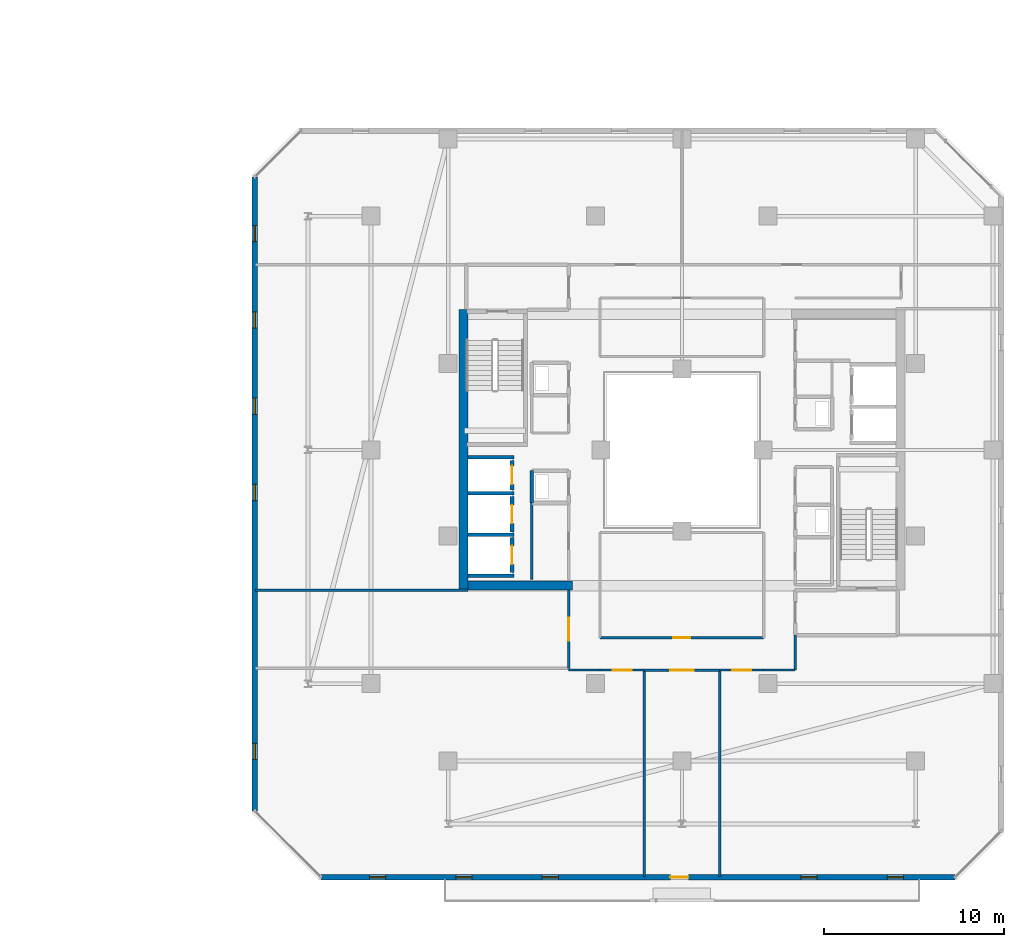
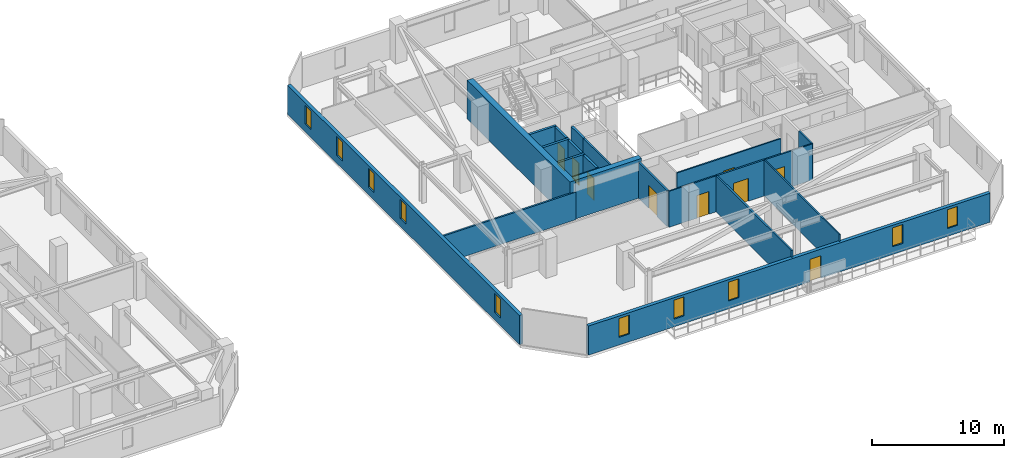
# One storey, part 23 of 33: 24 walls, 10 windows, 9 doors, 19 openings.
"""IFC4 building model written with IfcOpenShell, lengths in metres."""

from ifc_helpers import new_model, si_unit, direction, frame, frame_2d, origin, place, context, subcontext, project, spatial, rectangle, extrude, material, layer, layer_set, type_object, element, fill, save


model = new_model("IFC4")

# Units and contexts
model_context = context("Model", 3, precision=1e-05, world=origin(), true_north=direction((0.0, 1.0)))
body_context = subcontext(model_context, "Body", "Model", "MODEL_VIEW")
ifc_project = project(units=[si_unit("LENGTHUNIT", "METRE"), si_unit("AREAUNIT", "SQUARE_METRE"), si_unit("VOLUMEUNIT", "CUBIC_METRE"), si_unit("PLANEANGLEUNIT", "RADIAN"), si_unit("MASSUNIT", "GRAM", prefix="KILO")], contexts=[model_context])

# Site, building, storey
site_placement = place(None, origin())
site = spatial("IfcSite", under=ifc_project, at=site_placement, CompositionType="ELEMENT")
building_placement = place(site_placement, origin())
building = spatial("IfcBuilding", under=site, at=building_placement, Name="Thornwick Lancets Civic Towers", CompositionType="ELEMENT")
storey_placement = place(building_placement, frame((0.0, 0.0, 207.300048828125)))
storey = spatial("IfcBuildingStorey", under=building, at=storey_placement, Name="L55", CompositionType="ELEMENT", Elevation=207.300048828125)

# Wall, opening, door
ifc_material_1 = material(Name="Concrete blockwork C40/50", Category="masonry")
ifc_layer_1 = layer(ifc_material_1, 0.199951171875, Name="Concrete blockwork C40/50")
ifc_layer_set_1 = layer_set([ifc_layer_1], Name="Concrete blockwork C40/50")
wall_type_1 = type_object("IfcWallType", Name="WALL_COMP_200", PredefinedType="STANDARD", material=ifc_layer_set_1)
wall_1_placement = place(storey_placement, frame((79.050048828125, 24.780029296875, 0.0), z_axis=(0.0, 0.0, 1.0), x_axis=(0.0, 1.0, 0.0)))
wall_1 = element("IfcWall", 1, at=wall_1_placement, inside=storey, type_object=wall_type_1, Name="L55 Hoistway Front Wall FL-B2", PredefinedType="STANDARD", context=body_context, shape_type="SweptSolid", body=[
    extrude(rectangle(XDim=1.639892578125, YDim=0.199951171875, at=frame_2d((0.81982421875, 0.0))), origin(), (0.0, 0.0, 1.0), 3.33984375),
])
opening_1_placement = place(wall_1_placement, frame((0.31005859375, 0.0, 0.0)))
opening_1 = element("IfcOpeningElement", 2, at=opening_1_placement, cuts=wall_1, Name="Opening LD-FL-B2", PredefinedType="OPENING", context=body_context, shape_type="SweptSolid", body=[
    extrude(rectangle(XDim=1.02001953125, YDim=2.06005859375, at=frame_2d((0.510009765625, 1.030029296875))), frame((0.0, 0.10986328125, 0.0), z_axis=(0.0, -1.0, 0.0), x_axis=(1.0, 0.0, 0.0)), (0.0, 0.0, 1.0), 0.219970703125),
])
ifc_material_2 = material(Name="Brushed bronze stainless steel", Category="steel")
door_type_1 = type_object("IfcDoorType", Name="DOOR_LIFT_SLIDE", OperationType="SLIDING_TO_LEFT", PredefinedType="DOOR", material=ifc_material_2)
door_1_placement = place(opening_1_placement, origin())
door_1 = element("IfcDoor", 3, at=door_1_placement, inside=storey, type_object=door_type_1, Name="L55 Sliding Lift Landing Door LD-FL-B2", OperationType="SLIDING_TO_LEFT", OverallHeight=2.06005859375, OverallWidth=1.02001953125, PredefinedType="DOOR", context=body_context, shape_type="SweptSolid", body=[
    extrude(rectangle(XDim=1.02001953125, YDim=2.06005859375, at=frame_2d((0.510009765625, 1.030029296875))), frame((0.0, 0.02490234375, 0.0), z_axis=(0.0, -1.0, 0.0), x_axis=(1.0, 0.0, 0.0)), (0.0, 0.0, 1.0), 0.050048828125),
])
fill(opening_1, door_1)

wall_2_placement = place(storey_placement, frame((79.050048828125, 22.429931640625, 0.0), z_axis=(0.0, 0.0, 1.0), x_axis=(0.0, 1.0, 0.0)))
wall_2 = element("IfcWall", 4, at=wall_2_placement, inside=storey, type_object=wall_type_1, Name="L55 Hoistway Front Wall PL-BH2", PredefinedType="STANDARD", context=body_context, shape_type="SweptSolid", body=[
    extrude(rectangle(XDim=1.989990234375, YDim=0.199951171875, at=frame_2d((0.9951171875, 0.0))), origin(), (0.0, 0.0, 1.0), 3.33984375),
])
opening_2_placement = place(wall_2_placement, frame((0.485107421875, 0.0, 0.0)))
opening_2 = element("IfcOpeningElement", 5, at=opening_2_placement, cuts=wall_2, Name="Opening LD-PL-BH2", PredefinedType="OPENING", context=body_context, shape_type="SweptSolid", body=[
    extrude(rectangle(XDim=1.02001953125, YDim=2.06005859375, at=frame_2d((0.510009765625, 1.030029296875))), frame((0.0, 0.10986328125, 0.0), z_axis=(0.0, -1.0, 0.0), x_axis=(1.0, 0.0, 0.0)), (0.0, 0.0, 1.0), 0.219970703125),
])
door_2_placement = place(opening_2_placement, origin())
door_2 = element("IfcDoor", 6, at=door_2_placement, inside=storey, type_object=door_type_1, Name="L55 Sliding Lift Landing Door LD-PL-BH2", OperationType="SLIDING_TO_LEFT", OverallHeight=2.06005859375, OverallWidth=1.02001953125, PredefinedType="DOOR", context=body_context, shape_type="SweptSolid", body=[
    extrude(rectangle(XDim=1.02001953125, YDim=2.06005859375, at=frame_2d((0.510009765625, 1.030029296875))), frame((0.0, 0.02490234375, 0.0), z_axis=(0.0, -1.0, 0.0), x_axis=(1.0, 0.0, 0.0)), (0.0, 0.0, 1.0), 0.050048828125),
])
fill(opening_2, door_2)

wall_3_placement = place(storey_placement, frame((79.050048828125, 20.179931640625, 0.0), z_axis=(0.0, 0.0, 1.0), x_axis=(0.0, 1.0, 0.0)))
wall_3 = element("IfcWall", 7, at=wall_3_placement, inside=storey, type_object=wall_type_1, Name="L55 Hoistway Front Wall PL-BH3", PredefinedType="STANDARD", context=body_context, shape_type="SweptSolid", body=[
    extrude(rectangle(XDim=1.940185546875, YDim=0.199951171875, at=frame_2d((0.97021484375, 0.0))), origin(), (0.0, 0.0, 1.0), 3.33984375),
])
opening_3_placement = place(wall_3_placement, frame((0.4599609375, 0.0, 0.0)))
opening_3 = element("IfcOpeningElement", 8, at=opening_3_placement, cuts=wall_3, Name="Opening LD-PL-BH3", PredefinedType="OPENING", context=body_context, shape_type="SweptSolid", body=[
    extrude(rectangle(XDim=1.02001953125, YDim=2.06005859375, at=frame_2d((0.510009765625, 1.030029296875))), frame((0.0, 0.10986328125, 0.0), z_axis=(0.0, -1.0, 0.0), x_axis=(1.0, 0.0, 0.0)), (0.0, 0.0, 1.0), 0.219970703125),
])
door_3_placement = place(opening_3_placement, origin())
door_3 = element("IfcDoor", 9, at=door_3_placement, inside=storey, type_object=door_type_1, Name="L55 Sliding Lift Landing Door LD-PL-BH3", OperationType="SLIDING_TO_LEFT", OverallHeight=2.06005859375, OverallWidth=1.02001953125, PredefinedType="DOOR", context=body_context, shape_type="SweptSolid", body=[
    extrude(rectangle(XDim=1.02001953125, YDim=2.06005859375, at=frame_2d((0.510009765625, 1.030029296875))), frame((0.0, 0.02490234375, 0.0), z_axis=(0.0, -1.0, 0.0), x_axis=(1.0, 0.0, 0.0)), (0.0, 0.0, 1.0), 0.050048828125),
])
fill(opening_3, door_3)

# Walls
for number, where, z_axis, x_axis, name in (
    (10, (76.612060546875, 26.60009765625, 0.0), (0.0, 0.0, 1.0), (1.0, 0.0, 0.0), "L55 Hoistway Shaft Wall FL-B2 N"),
    (11, (76.612060546875, 24.60009765625, 0.0), (0.0, 0.0, 1.0), (1.0, 0.0, 0.0), "L55 Hoistway Shaft Wall FL-B2 S"),
    (12, (76.612060546875, 22.27490234375, 0.0), (0.0, 0.0, 1.0), (1.0, 0.0, 0.0), "L55 Hoistway Shaft Wall PL-BH2 S"),
    (13, (76.612060546875, 20.0, 0.0), (0.0, 0.0, 1.0), (1.0, 0.0, 0.0), "L55 Hoistway Shaft Wall PL-BH3 S"),
):
    element("IfcWall", number, at=place(storey_placement, frame(where, z_axis=z_axis, x_axis=x_axis)), inside=storey, type_object=wall_type_1, Name=name, PredefinedType="STANDARD", context=body_context, shape_type="SweptSolid", body=[
        extrude(rectangle(XDim=2.535888671875, YDim=0.199951171875, at=frame_2d((1.26806640625, 0.0))), origin(), (0.0, 0.0, 1.0), 3.33984375),
    ])
wall_4_placement = place(storey_placement, frame((80.14990234375, 25.85009765625, 0.0), z_axis=(0.0, 0.0, 1.0), x_axis=(0.0, -1.0, 0.0)))
element("IfcWall", 14, at=wall_4_placement, inside=storey, type_object=wall_type_1, Name="L55 Partition L55-B-DUCT2 E4", PredefinedType="STANDARD", context=body_context, shape_type="SweptSolid", body=[
    extrude(rectangle(XDim=1.800048828125, YDim=0.199951171875, at=frame_2d((0.89990234375, 0.0))), origin(), (0.0, 0.0, 1.0), 3.33984375),
])
ifc_material_3 = material(Name="Concrete C50/60", Category="concrete")
ifc_layer_2 = layer(ifc_material_3, 0.5, Name="Concrete C50/60")
ifc_layer_set_2 = layer_set([ifc_layer_2], Name="Concrete C50/60")
wall_type_2 = type_object("IfcWallType", Name="WALL_CORE_500", PredefinedType="SHEAR", material=ifc_layer_set_2)
wall_5_placement = place(storey_placement, frame((76.35009765625, 19.199951171875, 0.0), z_axis=(0.0, 0.0, 1.0), x_axis=(0.0, 1.0, 0.0)))
element("IfcWall", 15, at=wall_5_placement, inside=storey, type_object=wall_type_2, Name="L55 Split Core B2 Shear Wall W", PredefinedType="SHEAR", context=body_context, shape_type="SweptSolid", body=[
    extrude(rectangle(XDim=15.60009765625, YDim=0.5, at=frame_2d((7.800048828125, 0.0))), origin(), (0.0, 0.0, 1.0), 3.599853515625),
])
wall_6_placement = place(storey_placement, frame((76.60009765625, 19.449951171875, 0.0), z_axis=(0.0, 0.0, 1.0), x_axis=(1.0, 0.0, 0.0)))
element("IfcWall", 16, at=wall_6_placement, inside=storey, type_object=wall_type_2, Name="L55 Split Core B2 Shear Wall S", PredefinedType="SHEAR", context=body_context, shape_type="SweptSolid", body=[
    extrude(rectangle(XDim=5.7998046875, YDim=0.5, at=frame_2d((2.89990234375, 0.0))), origin(), (0.0, 0.0, 1.0), 3.599853515625),
])

# Wall, openings, door, windows
ifc_material_4 = material(Name="Insulated russet terracotta rainscreen on concrete C40/50", Category="masonry")
ifc_layer_3 = layer(ifc_material_4, 0.300048828125, Name="Insulated russet terracotta rainscreen on concrete C40/50")
ifc_layer_set_3 = layer_set([ifc_layer_3], Name="Insulated russet terracotta rainscreen on concrete C40/50")
wall_type_3 = type_object("IfcWallType", Name="WALL_EXT_RUSSET_300", PredefinedType="STANDARD", material=ifc_layer_set_3)
wall_7_placement = place(storey_placement, frame((68.42236328125, 3.239013671875, 0.0), z_axis=(0.0, 0.0, 1.0), x_axis=(0.999999994606, -0.000103863011, 0.0)))
wall_7 = element("IfcWall", 17, at=wall_7_placement, inside=storey, type_object=wall_type_3, Name="L55 Tower B Terracotta Facade Wall E0", PredefinedType="STANDARD", context=body_context, shape_type="SweptSolid", body=[
    extrude(rectangle(XDim=35.259033203125, YDim=0.300048828125, at=frame_2d((17.62939453125, 0.0))), origin(), (0.0, 0.0, 1.0), 2.699951171875),
])
opening_4_placement = place(wall_7_placement, frame((19.4296875, 0.0, 0.0)))
opening_4 = element("IfcOpeningElement", 18, at=opening_4_placement, cuts=wall_7, Name="Opening D-BL-L55-BS", PredefinedType="OPENING", context=body_context, shape_type="SweptSolid", body=[
    extrude(rectangle(XDim=1.0, YDim=2.080078125, at=frame_2d((0.5, 1.0400390625))), frame((0.0, 0.16015625, 0.0), z_axis=(0.0, -1.0, 0.0), x_axis=(1.0, 0.0, 0.0)), (0.0, 0.0, 1.0), 0.320068359375),
])
opening_5_placement = place(wall_7_placement, frame((2.699951171875, 0.0, 0.719970703125)))
opening_5 = element("IfcOpeningElement", 19, at=opening_5_placement, cuts=wall_7, Name="Opening WL-01", PredefinedType="OPENING", context=body_context, shape_type="SweptSolid", body=[
    extrude(rectangle(XDim=0.89990234375, YDim=1.75, at=frame_2d((0.449951171875, 0.875))), frame((0.0, 0.16015625, 0.0), z_axis=(0.0, -1.0, 0.0), x_axis=(1.0, 0.0, 0.0)), (0.0, 0.0, 1.0), 0.320068359375),
])
opening_6_placement = place(wall_7_placement, frame((7.5, 0.0, 0.719970703125)))
opening_6 = element("IfcOpeningElement", 20, at=opening_6_placement, cuts=wall_7, Name="Opening WL-01", PredefinedType="OPENING", context=body_context, shape_type="SweptSolid", body=[
    extrude(rectangle(XDim=0.89990234375, YDim=1.75, at=frame_2d((0.449951171875, 0.875))), frame((0.0, 0.16015625, 0.0), z_axis=(0.0, -1.0, 0.0), x_axis=(1.0, 0.0, 0.0)), (0.0, 0.0, 1.0), 0.320068359375),
])
opening_7_placement = place(wall_7_placement, frame((12.300048828125, 0.0, 0.719970703125)))
opening_7 = element("IfcOpeningElement", 21, at=opening_7_placement, cuts=wall_7, Name="Opening WL-01", PredefinedType="OPENING", context=body_context, shape_type="SweptSolid", body=[
    extrude(rectangle(XDim=0.89990234375, YDim=1.75, at=frame_2d((0.449951171875, 0.875))), frame((0.0, 0.16015625, 0.0), z_axis=(0.0, -1.0, 0.0), x_axis=(1.0, 0.0, 0.0)), (0.0, 0.0, 1.0), 0.320068359375),
])
opening_8_placement = place(wall_7_placement, frame((26.699951171875, 0.0, 0.719970703125)))
opening_8 = element("IfcOpeningElement", 22, at=opening_8_placement, cuts=wall_7, Name="Opening WL-01", PredefinedType="OPENING", context=body_context, shape_type="SweptSolid", body=[
    extrude(rectangle(XDim=0.89990234375, YDim=1.75, at=frame_2d((0.449951171875, 0.875))), frame((0.0, 0.16015625, 0.0), z_axis=(0.0, -1.0, 0.0), x_axis=(1.0, 0.0, 0.0)), (0.0, 0.0, 1.0), 0.320068359375),
])
opening_9_placement = place(wall_7_placement, frame((31.5, 0.0, 0.719970703125)))
opening_9 = element("IfcOpeningElement", 23, at=opening_9_placement, cuts=wall_7, Name="Opening WL-01", PredefinedType="OPENING", context=body_context, shape_type="SweptSolid", body=[
    extrude(rectangle(XDim=0.89990234375, YDim=1.75, at=frame_2d((0.449951171875, 0.875))), frame((0.0, 0.16015625, 0.0), z_axis=(0.0, -1.0, 0.0), x_axis=(1.0, 0.0, 0.0)), (0.0, 0.0, 1.0), 0.320068359375),
])
ifc_material_5 = material(Name="Thermally broken glazed loggia doorset")
door_type_2 = type_object("IfcDoorType", Name="DOOR_BALC_1000", OperationType="NOTDEFINED", PredefinedType="DOOR", material=ifc_material_5)
door_4_placement = place(opening_4_placement, origin())
door_4 = element("IfcDoor", 24, at=door_4_placement, inside=storey, type_object=door_type_2, Name="L55 Tower B Loggia Balcony Door S", OperationType="SINGLE_SWING_RIGHT", OverallHeight=2.080078125, OverallWidth=1.0, PredefinedType="DOOR", context=body_context, shape_type="SweptSolid", body=[
    extrude(rectangle(XDim=1.0, YDim=2.080078125, at=frame_2d((0.5, 1.0400390625))), frame((0.0, 0.02490234375, 0.0), z_axis=(0.0, -1.0, 0.0), x_axis=(1.0, 0.0, 0.0)), (0.0, 0.0, 1.0), 0.050048828125),
])
fill(opening_4, door_4)
ifc_material_6 = material(Name="Clear low-e double glazing in bronze frame", Category="glass")
window_type = type_object("IfcWindowType", Name="WIN_LANCET_900", PartitioningType="SINGLE_PANEL", PredefinedType="WINDOW", material=ifc_material_6)
window_1_placement = place(opening_5_placement, origin())
window_1 = element("IfcWindow", 25, at=window_1_placement, inside=storey, type_object=window_type, Name="L55 Tower B Staggered Lancet Window E0-1", OverallHeight=1.75, OverallWidth=0.89990234375, PartitioningType="SINGLE_PANEL", PredefinedType="WINDOW", context=body_context, shape_type="SweptSolid", body=[
    extrude(rectangle(XDim=0.89990234375, YDim=1.75, at=frame_2d((0.449951171875, 0.875))), frame((0.0, 0.030029296875, 0.0), z_axis=(0.0, -1.0, 0.0), x_axis=(1.0, 0.0, 0.0)), (0.0, 0.0, 1.0), 0.06005859375),
])
fill(opening_5, window_1)
window_2_placement = place(opening_6_placement, origin())
window_2 = element("IfcWindow", 26, at=window_2_placement, inside=storey, type_object=window_type, Name="L55 Tower B Staggered Lancet Window E0-2", OverallHeight=1.75, OverallWidth=0.89990234375, PartitioningType="SINGLE_PANEL", PredefinedType="WINDOW", context=body_context, shape_type="SweptSolid", body=[
    extrude(rectangle(XDim=0.89990234375, YDim=1.75, at=frame_2d((0.449951171875, 0.875))), frame((0.0, 0.030029296875, 0.0), z_axis=(0.0, -1.0, 0.0), x_axis=(1.0, 0.0, 0.0)), (0.0, 0.0, 1.0), 0.06005859375),
])
fill(opening_6, window_2)
window_3_placement = place(opening_7_placement, origin())
window_3 = element("IfcWindow", 27, at=window_3_placement, inside=storey, type_object=window_type, Name="L55 Tower B Staggered Lancet Window E0-3", OverallHeight=1.75, OverallWidth=0.89990234375, PartitioningType="SINGLE_PANEL", PredefinedType="WINDOW", context=body_context, shape_type="SweptSolid", body=[
    extrude(rectangle(XDim=0.89990234375, YDim=1.75, at=frame_2d((0.449951171875, 0.875))), frame((0.0, 0.030029296875, 0.0), z_axis=(0.0, -1.0, 0.0), x_axis=(1.0, 0.0, 0.0)), (0.0, 0.0, 1.0), 0.06005859375),
])
fill(opening_7, window_3)
window_4_placement = place(opening_8_placement, origin())
window_4 = element("IfcWindow", 28, at=window_4_placement, inside=storey, type_object=window_type, Name="L55 Tower B Staggered Lancet Window E0-4", OverallHeight=1.75, OverallWidth=0.89990234375, PartitioningType="SINGLE_PANEL", PredefinedType="WINDOW", context=body_context, shape_type="SweptSolid", body=[
    extrude(rectangle(XDim=0.89990234375, YDim=1.75, at=frame_2d((0.449951171875, 0.875))), frame((0.0, 0.030029296875, 0.0), z_axis=(0.0, -1.0, 0.0), x_axis=(1.0, 0.0, 0.0)), (0.0, 0.0, 1.0), 0.06005859375),
])
fill(opening_8, window_4)
window_5_placement = place(opening_9_placement, origin())
window_5 = element("IfcWindow", 29, at=window_5_placement, inside=storey, type_object=window_type, Name="L55 Tower B Staggered Lancet Window E0-5", OverallHeight=1.75, OverallWidth=0.89990234375, PartitioningType="SINGLE_PANEL", PredefinedType="WINDOW", context=body_context, shape_type="SweptSolid", body=[
    extrude(rectangle(XDim=0.89990234375, YDim=1.75, at=frame_2d((0.449951171875, 0.875))), frame((0.0, 0.030029296875, 0.0), z_axis=(0.0, -1.0, 0.0), x_axis=(1.0, 0.0, 0.0)), (0.0, 0.0, 1.0), 0.06005859375),
])
fill(opening_9, window_5)

# Wall, openings, windows
wall_8_placement = place(storey_placement, frame((64.7353515625, 42.181396484375, 0.0), z_axis=(0.0, 0.0, 1.0), x_axis=(0.000103863011, -0.999999994606, 0.0)))
wall_8 = element("IfcWall", 30, at=wall_8_placement, inside=storey, type_object=wall_type_3, Name="L55 Tower B Terracotta Facade Wall E6", PredefinedType="STANDARD", context=body_context, shape_type="SweptSolid", body=[
    extrude(rectangle(XDim=35.259033203125, YDim=0.300048828125, at=frame_2d((17.62939453125, 0.0))), origin(), (0.0, 0.0, 1.0), 2.699951171875),
])
opening_10_placement = place(wall_8_placement, frame((2.699951171875, 0.0, 0.719970703125)))
opening_10 = element("IfcOpeningElement", 31, at=opening_10_placement, cuts=wall_8, Name="Opening WL-01", PredefinedType="OPENING", context=body_context, shape_type="SweptSolid", body=[
    extrude(rectangle(XDim=0.89990234375, YDim=1.75, at=frame_2d((0.449951171875, 0.875))), frame((0.0, 0.16015625, 0.0), z_axis=(0.0, -1.0, 0.0), x_axis=(1.0, 0.0, 0.0)), (0.0, 0.0, 1.0), 0.320068359375),
])
opening_11_placement = place(wall_8_placement, frame((7.5, 0.0, 0.719970703125)))
opening_11 = element("IfcOpeningElement", 32, at=opening_11_placement, cuts=wall_8, Name="Opening WL-01", PredefinedType="OPENING", context=body_context, shape_type="SweptSolid", body=[
    extrude(rectangle(XDim=0.89990234375, YDim=1.75, at=frame_2d((0.449951171875, 0.875))), frame((0.0, 0.16015625, 0.0), z_axis=(0.0, -1.0, 0.0), x_axis=(1.0, 0.0, 0.0)), (0.0, 0.0, 1.0), 0.320068359375),
])
opening_12_placement = place(wall_8_placement, frame((12.300048828125, 0.0, 0.719970703125)))
opening_12 = element("IfcOpeningElement", 33, at=opening_12_placement, cuts=wall_8, Name="Opening WL-01", PredefinedType="OPENING", context=body_context, shape_type="SweptSolid", body=[
    extrude(rectangle(XDim=0.89990234375, YDim=1.75, at=frame_2d((0.449951171875, 0.875))), frame((0.0, 0.16015625, 0.0), z_axis=(0.0, -1.0, 0.0), x_axis=(1.0, 0.0, 0.0)), (0.0, 0.0, 1.0), 0.320068359375),
])
opening_13_placement = place(wall_8_placement, frame((17.10009765625, 0.0, 0.719970703125)))
opening_13 = element("IfcOpeningElement", 34, at=opening_13_placement, cuts=wall_8, Name="Opening WL-01", PredefinedType="OPENING", context=body_context, shape_type="SweptSolid", body=[
    extrude(rectangle(XDim=0.89990234375, YDim=1.75, at=frame_2d((0.449951171875, 0.875))), frame((0.0, 0.16015625, 0.0), z_axis=(0.0, -1.0, 0.0), x_axis=(1.0, 0.0, 0.0)), (0.0, 0.0, 1.0), 0.320068359375),
])
opening_14_placement = place(wall_8_placement, frame((31.5, 0.0, 0.719970703125)))
opening_14 = element("IfcOpeningElement", 35, at=opening_14_placement, cuts=wall_8, Name="Opening WL-01", PredefinedType="OPENING", context=body_context, shape_type="SweptSolid", body=[
    extrude(rectangle(XDim=0.89990234375, YDim=1.75, at=frame_2d((0.449951171875, 0.875))), frame((0.0, 0.16015625, 0.0), z_axis=(0.0, -1.0, 0.0), x_axis=(1.0, 0.0, 0.0)), (0.0, 0.0, 1.0), 0.320068359375),
])
window_6_placement = place(opening_10_placement, origin())
window_6 = element("IfcWindow", 36, at=window_6_placement, inside=storey, type_object=window_type, Name="L55 Tower B Staggered Lancet Window E6-1", OverallHeight=1.75, OverallWidth=0.89990234375, PartitioningType="SINGLE_PANEL", PredefinedType="WINDOW", context=body_context, shape_type="SweptSolid", body=[
    extrude(rectangle(XDim=0.89990234375, YDim=1.75, at=frame_2d((0.449951171875, 0.875))), frame((0.0, 0.030029296875, 0.0), z_axis=(0.0, -1.0, 0.0), x_axis=(1.0, 0.0, 0.0)), (0.0, 0.0, 1.0), 0.06005859375),
])
fill(opening_10, window_6)
window_7_placement = place(opening_11_placement, origin())
window_7 = element("IfcWindow", 37, at=window_7_placement, inside=storey, type_object=window_type, Name="L55 Tower B Staggered Lancet Window E6-2", OverallHeight=1.75, OverallWidth=0.89990234375, PartitioningType="SINGLE_PANEL", PredefinedType="WINDOW", context=body_context, shape_type="SweptSolid", body=[
    extrude(rectangle(XDim=0.89990234375, YDim=1.75, at=frame_2d((0.449951171875, 0.875))), frame((0.0, 0.030029296875, 0.0), z_axis=(0.0, -1.0, 0.0), x_axis=(1.0, 0.0, 0.0)), (0.0, 0.0, 1.0), 0.06005859375),
])
fill(opening_11, window_7)
window_8_placement = place(opening_12_placement, origin())
window_8 = element("IfcWindow", 38, at=window_8_placement, inside=storey, type_object=window_type, Name="L55 Tower B Staggered Lancet Window E6-3", OverallHeight=1.75, OverallWidth=0.89990234375, PartitioningType="SINGLE_PANEL", PredefinedType="WINDOW", context=body_context, shape_type="SweptSolid", body=[
    extrude(rectangle(XDim=0.89990234375, YDim=1.75, at=frame_2d((0.449951171875, 0.875))), frame((0.0, 0.030029296875, 0.0), z_axis=(0.0, -1.0, 0.0), x_axis=(1.0, 0.0, 0.0)), (0.0, 0.0, 1.0), 0.06005859375),
])
fill(opening_12, window_8)
window_9_placement = place(opening_13_placement, origin())
window_9 = element("IfcWindow", 39, at=window_9_placement, inside=storey, type_object=window_type, Name="L55 Tower B Staggered Lancet Window E6-4", OverallHeight=1.75, OverallWidth=0.89990234375, PartitioningType="SINGLE_PANEL", PredefinedType="WINDOW", context=body_context, shape_type="SweptSolid", body=[
    extrude(rectangle(XDim=0.89990234375, YDim=1.75, at=frame_2d((0.449951171875, 0.875))), frame((0.0, 0.030029296875, 0.0), z_axis=(0.0, -1.0, 0.0), x_axis=(1.0, 0.0, 0.0)), (0.0, 0.0, 1.0), 0.06005859375),
])
fill(opening_13, window_9)
window_10_placement = place(opening_14_placement, origin())
window_10 = element("IfcWindow", 40, at=window_10_placement, inside=storey, type_object=window_type, Name="L55 Tower B Staggered Lancet Window E6-5", OverallHeight=1.75, OverallWidth=0.89990234375, PartitioningType="SINGLE_PANEL", PredefinedType="WINDOW", context=body_context, shape_type="SweptSolid", body=[
    extrude(rectangle(XDim=0.89990234375, YDim=1.75, at=frame_2d((0.449951171875, 0.875))), frame((0.0, 0.030029296875, 0.0), z_axis=(0.0, -1.0, 0.0), x_axis=(1.0, 0.0, 0.0)), (0.0, 0.0, 1.0), 0.06005859375),
])
fill(opening_14, window_10)

# Wall
ifc_material_7 = material(Name="Acoustic gypsum board partition")
ifc_layer_4 = layer(ifc_material_7, 0.1201171875, Name="Acoustic gypsum board partition")
ifc_layer_set_4 = layer_set([ifc_layer_4], Name="Acoustic gypsum board partition")
wall_type_4 = type_object("IfcWallType", Name="WALL_PART_120", PredefinedType="PARTITIONING", material=ifc_layer_set_4)
wall_9_placement = place(storey_placement, frame((90.60009765625, 3.280029296875, 0.0), z_axis=(0.0, 0.0, 1.0), x_axis=(0.0, 1.0, 0.0)))
element("IfcWall", 41, at=wall_9_placement, inside=storey, type_object=wall_type_4, Name="L55 Partition L55-B-W1 E2", PredefinedType="PARTITIONING", context=body_context, shape_type="SweptSolid", body=[
    extrude(rectangle(XDim=11.469970703125, YDim=0.1201171875, at=frame_2d((5.73486328125, 0.0))), origin(), (0.0, 0.0, 1.0), 3.33984375),
])

# Wall, opening, door
wall_10_placement = place(storey_placement, frame((90.60009765625, 14.75, 0.0), z_axis=(0.0, 0.0, 1.0), x_axis=(1.0, 0.0, 0.0)))
wall_10 = element("IfcWall", 42, at=wall_10_placement, inside=storey, type_object=wall_type_4, Name="L55 Partition L55-B-W1 E3", PredefinedType="PARTITIONING", context=body_context, shape_type="SweptSolid", body=[
    extrude(rectangle(XDim=2.449951171875, YDim=0.1201171875, at=frame_2d((1.22509765625, 0.0))), origin(), (0.0, 0.0, 1.0), 3.33984375),
])
opening_15_placement = place(wall_10_placement, frame((0.699951171875, 0.0, 0.0)))
opening_15 = element("IfcOpeningElement", 43, at=opening_15_placement, cuts=wall_10, Name="Opening D-L55-2468", PredefinedType="OPENING", context=body_context, shape_type="SweptSolid", body=[
    extrude(rectangle(XDim=1.050048828125, YDim=2.10009765625, at=frame_2d((0.52490234375, 1.050048828125))), frame((0.0, 0.070068359375, 0.0), z_axis=(0.0, -1.0, 0.0), x_axis=(1.0, 0.0, 0.0)), (0.0, 0.0, 1.0), 0.14013671875),
])
ifc_material_8 = material(Name="Glazed European oak executive doorset")
door_type_3 = type_object("IfcDoorType", Name="DOOR_OFFICE_1050", OperationType="NOTDEFINED", PredefinedType="DOOR", material=ifc_material_8)
door_5_placement = place(opening_15_placement, origin())
door_5 = element("IfcDoor", 44, at=door_5_placement, inside=storey, type_object=door_type_3, Name="L55 Tower B Ministry Directorate Office W1 Door", OperationType="SINGLE_SWING_LEFT", OverallHeight=2.10009765625, OverallWidth=1.050048828125, PredefinedType="DOOR", context=body_context, shape_type="SweptSolid", body=[
    extrude(rectangle(XDim=1.050048828125, YDim=2.10009765625, at=frame_2d((0.52490234375, 1.050048828125))), frame((0.0, 0.02490234375, 0.0), z_axis=(0.0, -1.0, 0.0), x_axis=(1.0, 0.0, 0.0)), (0.0, 0.0, 1.0), 0.050048828125),
])
fill(opening_15, door_5)

# Walls
wall_11_placement = place(storey_placement, frame((93.050048828125, 14.75, 0.0), z_axis=(0.0, 0.0, 1.0), x_axis=(1.0, 0.0, 0.0)))
element("IfcWall", 45, at=wall_11_placement, inside=storey, type_object=wall_type_4, Name="L55 Partition L55-B-W1 E4", PredefinedType="PARTITIONING", context=body_context, shape_type="SweptSolid", body=[
    extrude(rectangle(XDim=1.75, YDim=0.1201171875, at=frame_2d((0.875, 0.0))), origin(), (0.0, 0.0, 1.0), 3.33984375),
])
wall_12_placement = place(storey_placement, frame((94.800048828125, 14.75, 0.0), z_axis=(0.0, 0.0, 1.0), x_axis=(0.0, 1.0, 0.0)))
element("IfcWall", 46, at=wall_12_placement, inside=storey, type_object=wall_type_4, Name="L55 Partition L55-B-W1 E5", PredefinedType="PARTITIONING", context=body_context, shape_type="SweptSolid", body=[
    extrude(rectangle(XDim=1.949951171875, YDim=0.1201171875, at=frame_2d((0.97509765625, 0.0))), origin(), (0.0, 0.0, 1.0), 3.33984375),
])
wall_13_placement = place(storey_placement, frame((82.199951171875, 14.75, 0.0), z_axis=(0.0, 0.0, 1.0), x_axis=(1.0, 0.0, 0.0)))
element("IfcWall", 47, at=wall_13_placement, inside=storey, type_object=wall_type_4, Name="L55 Partition L55-B-W2B E5", PredefinedType="PARTITIONING", context=body_context, shape_type="SweptSolid", body=[
    extrude(rectangle(XDim=1.75, YDim=0.1201171875, at=frame_2d((0.875, 0.0))), origin(), (0.0, 0.0, 1.0), 3.33984375),
])

# Wall, opening, door
wall_14_placement = place(storey_placement, frame((83.949951171875, 14.75, 0.0), z_axis=(0.0, 0.0, 1.0), x_axis=(1.0, 0.0, 0.0)))
wall_14 = element("IfcWall", 48, at=wall_14_placement, inside=storey, type_object=wall_type_4, Name="L55 Partition L55-B-W2B E6", PredefinedType="PARTITIONING", context=body_context, shape_type="SweptSolid", body=[
    extrude(rectangle(XDim=2.449951171875, YDim=0.1201171875, at=frame_2d((1.22509765625, 0.0))), origin(), (0.0, 0.0, 1.0), 3.33984375),
])
opening_16_placement = place(wall_14_placement, frame((0.699951171875, 0.0, 0.0)))
opening_16 = element("IfcOpeningElement", 49, at=opening_16_placement, cuts=wall_14, Name="Opening D-L55-2470", PredefinedType="OPENING", context=body_context, shape_type="SweptSolid", body=[
    extrude(rectangle(XDim=1.050048828125, YDim=2.10009765625, at=frame_2d((0.52490234375, 1.050048828125))), frame((0.0, 0.070068359375, 0.0), z_axis=(0.0, -1.0, 0.0), x_axis=(1.0, 0.0, 0.0)), (0.0, 0.0, 1.0), 0.14013671875),
])
door_6_placement = place(opening_16_placement, origin())
door_6 = element("IfcDoor", 50, at=door_6_placement, inside=storey, type_object=door_type_3, Name="L55 Tower B Parliamentary Casework Suite W2B Door", OperationType="SINGLE_SWING_LEFT", OverallHeight=2.10009765625, OverallWidth=1.050048828125, PredefinedType="DOOR", context=body_context, shape_type="SweptSolid", body=[
    extrude(rectangle(XDim=1.050048828125, YDim=2.10009765625, at=frame_2d((0.52490234375, 1.050048828125))), frame((0.0, 0.02490234375, 0.0), z_axis=(0.0, -1.0, 0.0), x_axis=(1.0, 0.0, 0.0)), (0.0, 0.0, 1.0), 0.050048828125),
])
fill(opening_16, door_6)

wall_15_placement = place(storey_placement, frame((93.050048828125, 16.550048828125, 0.0), z_axis=(0.0, 0.0, 1.0), x_axis=(-1.0, 0.0, 0.0)))
wall_15 = element("IfcWall", 51, at=wall_15_placement, inside=storey, type_object=wall_type_4, Name="L55 Partition L55-B-W3 E4", PredefinedType="PARTITIONING", context=body_context, shape_type="SweptSolid", body=[
    extrude(rectangle(XDim=9.10009765625, YDim=0.1201171875, at=frame_2d((4.550048828125, 0.0))), origin(), (0.0, 0.0, 1.0), 3.33984375),
])
opening_17_placement = place(wall_15_placement, frame((4.074951171875, 0.0, 0.0)))
opening_17 = element("IfcOpeningElement", 52, at=opening_17_placement, cuts=wall_15, Name="Opening D-L55-2471", PredefinedType="OPENING", context=body_context, shape_type="SweptSolid", body=[
    extrude(rectangle(XDim=0.949951171875, YDim=2.10009765625, at=frame_2d((0.47509765625, 1.050048828125))), frame((0.0, 0.070068359375, 0.0), z_axis=(0.0, -1.0, 0.0), x_axis=(1.0, 0.0, 0.0)), (0.0, 0.0, 1.0), 0.14013671875),
])
ifc_material_9 = material(Name="European oak acoustic doorset")
door_type_4 = type_object("IfcDoorType", Name="DOOR_OFFICE_950", OperationType="NOTDEFINED", PredefinedType="DOOR", material=ifc_material_9)
door_7_placement = place(opening_17_placement, origin())
door_7 = element("IfcDoor", 53, at=door_7_placement, inside=storey, type_object=door_type_4, Name="L55 Tower B West Atrium Gallery Suite Door", OperationType="SINGLE_SWING_RIGHT", OverallHeight=2.10009765625, OverallWidth=0.949951171875, PredefinedType="DOOR", context=body_context, shape_type="SweptSolid", body=[
    extrude(rectangle(XDim=0.949951171875, YDim=2.10009765625, at=frame_2d((0.47509765625, 1.050048828125))), frame((0.0, 0.02490234375, 0.0), z_axis=(0.0, -1.0, 0.0), x_axis=(1.0, 0.0, 0.0)), (0.0, 0.0, 1.0), 0.050048828125),
])
fill(opening_17, door_7)

# Walls
ifc_material_10 = material(Name="Twin-stud acoustic gypsum board")
ifc_layer_5 = layer(ifc_material_10, 0.14990234375, Name="Twin-stud acoustic gypsum board")
ifc_layer_set_5 = layer_set([ifc_layer_5], Name="Twin-stud acoustic gypsum board")
wall_type_5 = type_object("IfcWallType", Name="WALL_PART_150", PredefinedType="PARTITIONING", material=ifc_layer_set_5)
wall_16_placement = place(storey_placement, frame((80.14990234375, 19.800048828125, 0.0), z_axis=(0.0, 0.0, 1.0), x_axis=(0.0, 1.0, 0.0)))
element("IfcWall", 54, at=wall_16_placement, inside=storey, type_object=wall_type_5, Name="L55 Partition L55-B-FWC E2", PredefinedType="PARTITIONING", context=body_context, shape_type="SweptSolid", body=[
    extrude(rectangle(XDim=4.25, YDim=0.14990234375, at=frame_2d((2.125, 0.0))), origin(), (0.0, 0.0, 1.0), 3.33984375),
])
wall_17_placement = place(storey_placement, frame((64.780029296875, 19.199951171875, 0.0), z_axis=(0.0, 0.0, 1.0), x_axis=(1.0, 0.0, 0.0)))
element("IfcWall", 55, at=wall_17_placement, inside=storey, type_object=wall_type_5, Name="L55 Partition L55-B-RECLAIM-M1 E3", PredefinedType="PARTITIONING", context=body_context, shape_type="SweptSolid", body=[
    extrude(rectangle(XDim=11.820068359375, YDim=0.14990234375, at=frame_2d((5.91015625, 0.0))), origin(), (0.0, 0.0, 1.0), 2.544921875),
])

# Wall, opening, door
wall_18_placement = place(storey_placement, frame((82.199951171875, 19.199951171875, 0.0), z_axis=(0.0, 0.0, 1.0), x_axis=(0.0, -1.0, 0.0)))
wall_18 = element("IfcWall", 56, at=wall_18_placement, inside=storey, type_object=wall_type_5, Name="L55 Partition L55-B-RECLAIM-M1 E4", PredefinedType="PARTITIONING", context=body_context, shape_type="SweptSolid", body=[
    extrude(rectangle(XDim=4.349853515625, YDim=0.14990234375, at=frame_2d((2.1748046875, 0.0))), origin(), (0.0, 0.0, 1.0), 3.33984375),
])
opening_18_placement = place(wall_18_placement, frame((1.52490234375, 0.0, 0.0)))
opening_18 = element("IfcOpeningElement", 57, at=opening_18_placement, cuts=wall_18, Name="Opening D-L55-2467", PredefinedType="OPENING", context=body_context, shape_type="SweptSolid", body=[
    extrude(rectangle(XDim=1.300048828125, YDim=2.1201171875, at=frame_2d((0.64990234375, 1.06005859375))), frame((0.0, 0.0849609375, 0.0), z_axis=(0.0, -1.0, 0.0), x_axis=(1.0, 0.0, 0.0)), (0.0, 0.0, 1.0), 0.169921875),
])
ifc_material_11 = material(Name="Acoustic oak leaf-and-a-half doorset")
door_type_5 = type_object("IfcDoorType", Name="DOOR_MEET_1300", OperationType="DOUBLE_DOOR_SINGLE_SWING", PredefinedType="DOOR", material=ifc_material_11)
door_8_placement = place(opening_18_placement, origin())
door_8 = element("IfcDoor", 58, at=door_8_placement, inside=storey, type_object=door_type_5, Name="L55 Tower B Diplomatic Conference Suite Door", OperationType="DOUBLE_DOOR_SINGLE_SWING", OverallHeight=2.1201171875, OverallWidth=1.300048828125, PredefinedType="DOOR", context=body_context, shape_type="SweptSolid", body=[
    extrude(rectangle(XDim=1.300048828125, YDim=2.1201171875, at=frame_2d((0.64990234375, 1.06005859375))), frame((0.0, 0.02490234375, 0.0), z_axis=(0.0, -1.0, 0.0), x_axis=(1.0, 0.0, 0.0)), (0.0, 0.0, 1.0), 0.050048828125),
])
fill(opening_18, door_8)

# Wall
wall_19_placement = place(storey_placement, frame((86.39990234375, 3.280029296875, 0.0), z_axis=(0.0, 0.0, 1.0), x_axis=(0.0, 1.0, 0.0)))
element("IfcWall", 59, at=wall_19_placement, inside=storey, type_object=wall_type_5, Name="L55 Partition L55-B-W2 E3", PredefinedType="PARTITIONING", context=body_context, shape_type="SweptSolid", body=[
    extrude(rectangle(XDim=11.469970703125, YDim=0.14990234375, at=frame_2d((5.73486328125, 0.0))), origin(), (0.0, 0.0, 1.0), 3.33984375),
])

# Wall, opening, door
wall_20_placement = place(storey_placement, frame((86.39990234375, 14.75, 0.0), z_axis=(0.0, 0.0, 1.0), x_axis=(1.0, 0.0, 0.0)))
wall_20 = element("IfcWall", 60, at=wall_20_placement, inside=storey, type_object=wall_type_5, Name="L55 Partition L55-B-W2 E4", PredefinedType="PARTITIONING", context=body_context, shape_type="SweptSolid", body=[
    extrude(rectangle(XDim=4.2001953125, YDim=0.14990234375, at=frame_2d((2.10009765625, 0.0))), origin(), (0.0, 0.0, 1.0), 3.33984375),
])
opening_19_placement = place(wall_20_placement, frame((1.449951171875, 0.0, 0.0)))
opening_19 = element("IfcOpeningElement", 61, at=opening_19_placement, cuts=wall_20, Name="Opening D-L55-2469", PredefinedType="OPENING", context=body_context, shape_type="SweptSolid", body=[
    extrude(rectangle(XDim=1.300048828125, YDim=2.1201171875, at=frame_2d((0.64990234375, 1.06005859375))), frame((0.0, 0.0849609375, 0.0), z_axis=(0.0, -1.0, 0.0), x_axis=(1.0, 0.0, 0.0)), (0.0, 0.0, 1.0), 0.169921875),
])
door_9_placement = place(opening_19_placement, origin())
door_9 = element("IfcDoor", 62, at=door_9_placement, inside=storey, type_object=door_type_5, Name="L55 Tower B Policy Briefing Room W2 Door", OperationType="DOUBLE_DOOR_SINGLE_SWING", OverallHeight=2.1201171875, OverallWidth=1.300048828125, PredefinedType="DOOR", context=body_context, shape_type="SweptSolid", body=[
    extrude(rectangle(XDim=1.300048828125, YDim=2.1201171875, at=frame_2d((0.64990234375, 1.06005859375))), frame((0.0, 0.02490234375, 0.0), z_axis=(0.0, -1.0, 0.0), x_axis=(1.0, 0.0, 0.0)), (0.0, 0.0, 1.0), 0.050048828125),
])
fill(opening_19, door_9)

save(model, "model.ifc")
